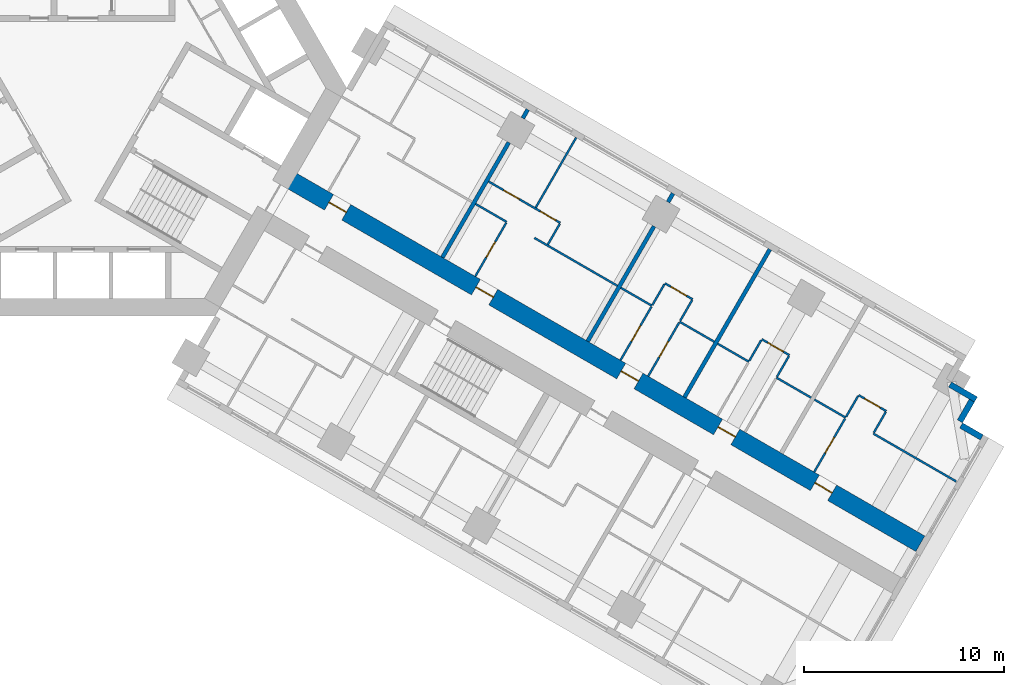
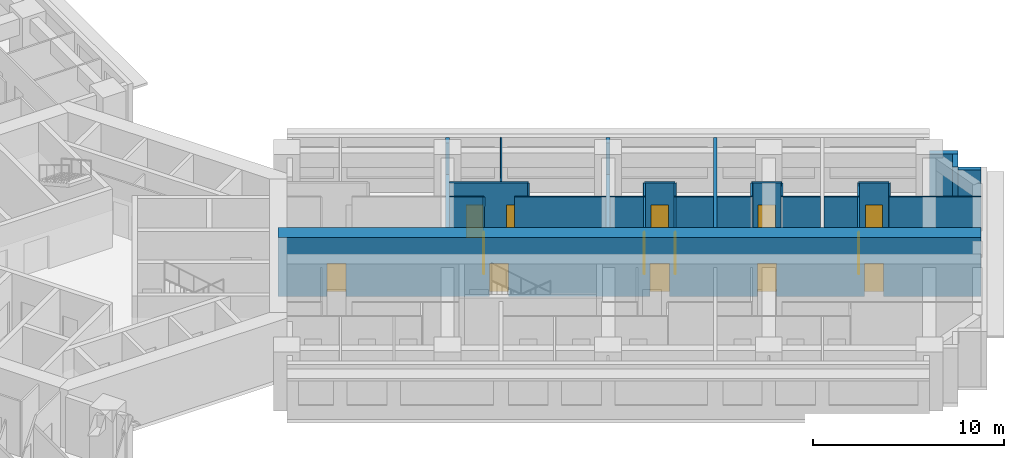
# One storey, part 12 of 16: 33 walls, 14 doors, 14 openings.
"""IFC4 building model written with IfcOpenShell, lengths in metres."""

from ifc_helpers import new_model, si_unit, direction, frame, frame_2d, origin, place, context, subcontext, project, spatial, rectangle, extrude, material, layer, layer_set, type_object, element, fill, save


model = new_model("IFC4")

# Units and contexts
model_context = context("Model", 3, precision=1e-05, world=origin(), true_north=direction((0.0, 1.0)))
body_context = subcontext(model_context, "Body", "Model", "MODEL_VIEW")
ifc_project = project(units=[si_unit("LENGTHUNIT", "METRE"), si_unit("AREAUNIT", "SQUARE_METRE"), si_unit("VOLUMEUNIT", "CUBIC_METRE"), si_unit("PLANEANGLEUNIT", "RADIAN"), si_unit("MASSUNIT", "GRAM", prefix="KILO")], contexts=[model_context])

# Site, building, storey
site_placement = place(None, origin())
site = spatial("IfcSite", under=ifc_project, at=site_placement, CompositionType="ELEMENT")
building_placement = place(site_placement, origin())
building = spatial("IfcBuilding", under=site, at=building_placement, Name="Impinga Residences", CompositionType="ELEMENT")
storey_placement = place(building_placement, frame((0.0, 0.0, 78.5)))
storey = spatial("IfcBuildingStorey", under=building, at=storey_placement, Name="L19", CompositionType="ELEMENT", Elevation=78.5)

# Wall, openings, doors
ifc_material_1 = material(Name="Concrete C70/85", Category="concrete")
ifc_layer_1 = layer(ifc_material_1, 0.89990234375)
ifc_layer_set_1 = layer_set([ifc_layer_1], Name="Concrete C70/85")
wall_type_1 = type_object("IfcWallType", Name="BW1 corridor buttress wall, L05 to L22 900", PredefinedType="SHEAR", material=ifc_layer_set_1)
wall_1_placement = place(storey_placement, frame((10.1103515625, -4.451416015625, 0.0), z_axis=(0.0, 0.0, 1.0), x_axis=(0.866025284237, -0.500000207062, 0.0)))
wall_1 = element("IfcWall", 1, at=wall_1_placement, inside=storey, type_object=wall_type_1, Name="Corridor wall BW1 EC L19", PredefinedType="SHEAR", context=body_context, shape_type="SweptSolid", body=[
    extrude(rectangle(XDim=36.75, YDim=0.89990234375, at=frame_2d((18.375, 0.0))), origin(), (0.0, 0.0, 1.0), 3.75),
])
opening_1_placement = place(wall_1_placement, frame((2.550048828125, 0.0, 0.0)))
opening_1 = element("IfcOpeningElement", 2, at=opening_1_placement, cuts=wall_1, Name="Opening D1", PredefinedType="OPENING", context=body_context, shape_type="SweptSolid", body=[
    extrude(rectangle(XDim=1.0, YDim=2.10009765625, at=frame_2d((0.5, 1.050048828125))), frame((0.0, 0.4599609375, 0.0), z_axis=(0.0, -1.0, 0.0), x_axis=(1.0, 0.0, 0.0)), (0.0, 0.0, 1.0), 0.919921875),
])
opening_2_placement = place(wall_1_placement, frame((11.050048828125, 0.0, 0.0)))
opening_2 = element("IfcOpeningElement", 3, at=opening_2_placement, cuts=wall_1, Name="Opening D1", PredefinedType="OPENING", context=body_context, shape_type="SweptSolid", body=[
    extrude(rectangle(XDim=1.0, YDim=2.10009765625, at=frame_2d((0.5, 1.050048828125))), frame((0.0, 0.4599609375, 0.0), z_axis=(0.0, -1.0, 0.0), x_axis=(1.0, 0.0, 0.0)), (0.0, 0.0, 1.0), 0.919921875),
])
opening_3_placement = place(wall_1_placement, frame((19.449951171875, 0.0, 0.0)))
opening_3 = element("IfcOpeningElement", 4, at=opening_3_placement, cuts=wall_1, Name="Opening D1", PredefinedType="OPENING", context=body_context, shape_type="SweptSolid", body=[
    extrude(rectangle(XDim=1.0, YDim=2.10009765625, at=frame_2d((0.5, 1.050048828125))), frame((0.0, 0.4599609375, 0.0), z_axis=(0.0, -1.0, 0.0), x_axis=(1.0, 0.0, 0.0)), (0.0, 0.0, 1.0), 0.919921875),
])
opening_4_placement = place(wall_1_placement, frame((25.050048828125, 0.0, 0.0)))
opening_4 = element("IfcOpeningElement", 5, at=opening_4_placement, cuts=wall_1, Name="Opening D1", PredefinedType="OPENING", context=body_context, shape_type="SweptSolid", body=[
    extrude(rectangle(XDim=1.0, YDim=2.10009765625, at=frame_2d((0.5, 1.050048828125))), frame((0.0, 0.4599609375, 0.0), z_axis=(0.0, -1.0, 0.0), x_axis=(1.0, 0.0, 0.0)), (0.0, 0.0, 1.0), 0.919921875),
])
opening_5_placement = place(wall_1_placement, frame((30.64990234375, 0.0, 0.0)))
opening_5 = element("IfcOpeningElement", 6, at=opening_5_placement, cuts=wall_1, Name="Opening D1", PredefinedType="OPENING", context=body_context, shape_type="SweptSolid", body=[
    extrude(rectangle(XDim=1.0, YDim=2.10009765625, at=frame_2d((0.5, 1.050048828125))), frame((0.0, 0.4599609375, 0.0), z_axis=(0.0, -1.0, 0.0), x_axis=(1.0, 0.0, 0.0)), (0.0, 0.0, 1.0), 0.919921875),
])
ifc_material_2 = material(Name="Timber door set", Category="wood")
door_type_1 = type_object("IfcDoorType", Name="D1 apartment entrance door 1000x2100", OperationType="SINGLE_SWING_LEFT", PredefinedType="DOOR", material=ifc_material_2)
door_1_placement = place(opening_1_placement, origin())
door_1 = element("IfcDoor", 7, at=door_1_placement, inside=storey, type_object=door_type_1, Name="Apartment L19-EA1 entrance", OperationType="SINGLE_SWING_LEFT", OverallHeight=2.10009765625, OverallWidth=1.0, PredefinedType="DOOR", context=body_context, shape_type="SweptSolid", body=[
    extrude(rectangle(XDim=1.0, YDim=2.10009765625, at=frame_2d((0.5, 1.050048828125))), frame((0.0, 0.02490234375, 0.0), z_axis=(0.0, -1.0, 0.0), x_axis=(1.0, 0.0, 0.0)), (0.0, 0.0, 1.0), 0.050048828125),
])
fill(opening_1, door_1)
door_2_placement = place(opening_2_placement, origin())
door_2 = element("IfcDoor", 8, at=door_2_placement, inside=storey, type_object=door_type_1, Name="Apartment L19-EA2 entrance", OperationType="SINGLE_SWING_LEFT", OverallHeight=2.10009765625, OverallWidth=1.0, PredefinedType="DOOR", context=body_context, shape_type="SweptSolid", body=[
    extrude(rectangle(XDim=1.0, YDim=2.10009765625, at=frame_2d((0.5, 1.050048828125))), frame((0.0, 0.02490234375, 0.0), z_axis=(0.0, -1.0, 0.0), x_axis=(1.0, 0.0, 0.0)), (0.0, 0.0, 1.0), 0.050048828125),
])
fill(opening_2, door_2)
door_3_placement = place(opening_3_placement, origin())
door_3 = element("IfcDoor", 9, at=door_3_placement, inside=storey, type_object=door_type_1, Name="Apartment L19-EA3 entrance", OperationType="SINGLE_SWING_RIGHT", OverallHeight=2.10009765625, OverallWidth=1.0, PredefinedType="DOOR", context=body_context, shape_type="SweptSolid", body=[
    extrude(rectangle(XDim=1.0, YDim=2.10009765625, at=frame_2d((0.5, 1.050048828125))), frame((0.0, 0.02490234375, 0.0), z_axis=(0.0, -1.0, 0.0), x_axis=(1.0, 0.0, 0.0)), (0.0, 0.0, 1.0), 0.050048828125),
])
fill(opening_3, door_3)
door_4_placement = place(opening_4_placement, origin())
door_4 = element("IfcDoor", 10, at=door_4_placement, inside=storey, type_object=door_type_1, Name="Apartment L19-EA4 entrance", OperationType="SINGLE_SWING_RIGHT", OverallHeight=2.10009765625, OverallWidth=1.0, PredefinedType="DOOR", context=body_context, shape_type="SweptSolid", body=[
    extrude(rectangle(XDim=1.0, YDim=2.10009765625, at=frame_2d((0.5, 1.050048828125))), frame((0.0, 0.02490234375, 0.0), z_axis=(0.0, -1.0, 0.0), x_axis=(1.0, 0.0, 0.0)), (0.0, 0.0, 1.0), 0.050048828125),
])
fill(opening_4, door_4)
door_5_placement = place(opening_5_placement, origin())
door_5 = element("IfcDoor", 11, at=door_5_placement, inside=storey, type_object=door_type_1, Name="Apartment L19-EA5 entrance", OperationType="SINGLE_SWING_RIGHT", OverallHeight=2.10009765625, OverallWidth=1.0, PredefinedType="DOOR", context=body_context, shape_type="SweptSolid", body=[
    extrude(rectangle(XDim=1.0, YDim=2.10009765625, at=frame_2d((0.5, 1.050048828125))), frame((0.0, 0.02490234375, 0.0), z_axis=(0.0, -1.0, 0.0), x_axis=(1.0, 0.0, 0.0)), (0.0, 0.0, 1.0), 0.050048828125),
])
fill(opening_5, door_5)

# Walls
ifc_material_3 = material(Name="Terracotta rainscreen on blockwork", Category="masonry")
ifc_layer_2 = layer(ifc_material_3, 0.300048828125)
ifc_layer_set_2 = layer_set([ifc_layer_2], Name="EW1 external wall, terracotta rainscreen on blockwork 300")
wall_type_2 = type_object("IfcWallType", Name="EW1 external wall, terracotta rainscreen on blockwork 300", PredefinedType="SOLIDWALL", material=ifc_layer_set_2)
wall_2_placement = place(storey_placement, frame((43.42333984375, -14.8515625, 0.0), z_axis=(0.0, 0.0, 1.0), x_axis=(0.866031096941, -0.499990139034, 0.0)))
element("IfcWall", 12, at=wall_2_placement, inside=storey, type_object=wall_type_2, Name="External wall EW1 L19", PredefinedType="SOLIDWALL", context=body_context, shape_type="SweptSolid", body=[
    extrude(rectangle(XDim=1.5, YDim=0.300048828125, at=frame_2d((0.75, 0.0))), origin(), (0.0, 0.0, 1.0), 3.530029296875),
])
wall_3_placement = place(storey_placement, frame((44.517578125, -15.65625, 0.0), z_axis=(0.0, 0.0, 1.0), x_axis=(-0.500033551112, -0.866006032174, 0.0)))
element("IfcWall", 13, at=wall_3_placement, inside=storey, type_object=wall_type_2, Name="External wall EW1 L19", PredefinedType="SOLIDWALL", context=body_context, shape_type="SweptSolid", body=[
    extrude(rectangle(XDim=1.2001953125, YDim=0.300048828125, at=frame_2d((0.60009765625, 0.0))), origin(), (0.0, 0.0, 1.0), 3.530029296875),
])
wall_4_placement = place(storey_placement, frame((43.976806640625, -16.903076171875, 0.0), z_axis=(0.0, 0.0, 1.0), x_axis=(0.866059708757, -0.499940577336, 0.0)))
element("IfcWall", 14, at=wall_4_placement, inside=storey, type_object=wall_type_2, Name="External wall EW1 L19", PredefinedType="SOLIDWALL", context=body_context, shape_type="SweptSolid", body=[
    extrude(rectangle(XDim=1.195068359375, YDim=0.300048828125, at=frame_2d((0.59765625, 0.0))), origin(), (0.0, 0.0, 1.0), 3.530029296875),
])
ifc_material_4 = material(Name="Gypsum board on steel studs", Category="steel")
ifc_layer_3 = layer(ifc_material_4, 0.10009765625)
ifc_layer_set_3 = layer_set([ifc_layer_3], Name="Gypsum board on steel studs")
wall_type_3 = type_object("IfcWallType", Name="IP1 partition 100", PredefinedType="PARTITIONING", material=ifc_layer_set_3)
wall_5_placement = place(storey_placement, frame((19.6611328125, -5.808837890625, 0.0), z_axis=(0.0, 0.0, 1.0), x_axis=(0.866047807691, -0.499961193289, 0.0)))
element("IfcWall", 15, at=wall_5_placement, inside=storey, type_object=wall_type_3, Name="Partition L19-EA2:DIV0", PredefinedType="PARTITIONING", context=body_context, shape_type="SweptSolid", body=[
    extrude(rectangle(XDim=1.800048828125, YDim=0.10009765625, at=frame_2d((0.89990234375, 0.0))), origin(), (0.0, 0.0, 1.0), 3.530029296875),
])
wall_6_placement = place(storey_placement, frame((22.605712890625, -7.5087890625, 0.0), z_axis=(0.0, 0.0, 1.0), x_axis=(0.866015339567, -0.500017431331, 0.0)))
element("IfcWall", 16, at=wall_6_placement, inside=storey, type_object=wall_type_3, Name="Partition L19-EA2:DIV1", PredefinedType="PARTITIONING", context=body_context, shape_type="SweptSolid", body=[
    extrude(rectangle(XDim=4.800048828125, YDim=0.10009765625, at=frame_2d((2.39990234375, 0.0))), origin(), (0.0, 0.0, 1.0), 3.530029296875),
])

# Wall, openings, doors
wall_7_placement = place(storey_placement, frame((20.311279296875, -4.68310546875, 0.0), z_axis=(0.0, 0.0, 1.0), x_axis=(0.86602981871, -0.499992353047, 0.0)))
wall_7 = element("IfcWall", 17, at=wall_7_placement, inside=storey, type_object=wall_type_3, Name="Partition L19-EA2:STRIP", PredefinedType="PARTITIONING", context=body_context, shape_type="SweptSolid", body=[
    extrude(rectangle(XDim=4.14990234375, YDim=0.10009765625, at=frame_2d((2.074951171875, 0.0))), origin(), (0.0, 0.0, 1.0), 3.530029296875),
])
opening_6_placement = place(wall_7_placement, frame((0.875, 0.0, 0.0)))
opening_6 = element("IfcOpeningElement", 18, at=opening_6_placement, cuts=wall_7, Name="Opening D2", PredefinedType="OPENING", context=body_context, shape_type="SweptSolid", body=[
    extrude(rectangle(XDim=0.89990234375, YDim=2.10009765625, at=frame_2d((0.449951171875, 1.050048828125))), frame((0.0, 0.06005859375, 0.0), z_axis=(0.0, -1.0, 0.0), x_axis=(1.0, 0.0, 0.0)), (0.0, 0.0, 1.0), 0.1201171875),
])
opening_7_placement = place(wall_7_placement, frame((3.0, 0.0, 0.0)))
opening_7 = element("IfcOpeningElement", 19, at=opening_7_placement, cuts=wall_7, Name="Opening D2", PredefinedType="OPENING", context=body_context, shape_type="SweptSolid", body=[
    extrude(rectangle(XDim=0.89990234375, YDim=2.10009765625, at=frame_2d((0.449951171875, 1.050048828125))), frame((0.0, 0.06005859375, 0.0), z_axis=(0.0, -1.0, 0.0), x_axis=(1.0, 0.0, 0.0)), (0.0, 0.0, 1.0), 0.1201171875),
])
door_type_2 = type_object("IfcDoorType", Name="D2 internal door 900x2100", OperationType="SINGLE_SWING_LEFT", PredefinedType="DOOR", material=ifc_material_2)
door_6_placement = place(opening_6_placement, origin())
door_6 = element("IfcDoor", 20, at=door_6_placement, inside=storey, type_object=door_type_2, Name="Apartment L19-EA2 room door", OperationType="SINGLE_SWING_LEFT", OverallHeight=2.10009765625, OverallWidth=0.89990234375, PredefinedType="DOOR", context=body_context, shape_type="SweptSolid", body=[
    extrude(rectangle(XDim=0.89990234375, YDim=2.10009765625, at=frame_2d((0.449951171875, 1.050048828125))), frame((0.0, 0.02490234375, 0.0), z_axis=(0.0, -1.0, 0.0), x_axis=(1.0, 0.0, 0.0)), (0.0, 0.0, 1.0), 0.050048828125),
])
fill(opening_6, door_6)
door_7_placement = place(opening_7_placement, origin())
door_7 = element("IfcDoor", 21, at=door_7_placement, inside=storey, type_object=door_type_2, Name="Apartment L19-EA2 room door", OperationType="SINGLE_SWING_RIGHT", OverallHeight=2.10009765625, OverallWidth=0.89990234375, PredefinedType="DOOR", context=body_context, shape_type="SweptSolid", body=[
    extrude(rectangle(XDim=0.89990234375, YDim=2.10009765625, at=frame_2d((0.449951171875, 1.050048828125))), frame((0.0, 0.02490234375, 0.0), z_axis=(0.0, -1.0, 0.0), x_axis=(1.0, 0.0, 0.0)), (0.0, 0.0, 1.0), 0.050048828125),
])
fill(opening_7, door_7)

# Wall
wall_8_placement = place(storey_placement, frame((23.2802734375, -7.840576171875, 0.0), z_axis=(0.0, 0.0, 1.0), x_axis=(0.499880961361, 0.866094119867, 0.0)))
element("IfcWall", 22, at=wall_8_placement, inside=storey, type_object=wall_type_3, Name="Partition L19-EA2:SE1", PredefinedType="PARTITIONING", context=body_context, shape_type="SweptSolid", body=[
    extrude(rectangle(XDim=1.199951171875, YDim=0.10009765625, at=frame_2d((0.60009765625, 0.0))), origin(), (0.0, 0.0, 1.0), 3.530029296875),
])

# Wall, opening, door
wall_9_placement = place(storey_placement, frame((19.64501953125, -9.436767578125, 0.0), z_axis=(0.0, 0.0, 1.0), x_axis=(0.500026960575, 0.86600983753, 0.0)))
wall_9 = element("IfcWall", 23, at=wall_9_placement, inside=storey, type_object=wall_type_3, Name="Partition L19-EA2:IB1", PredefinedType="PARTITIONING", context=body_context, shape_type="SweptSolid", body=[
    extrude(rectangle(XDim=3.099853515625, YDim=0.10009765625, at=frame_2d((1.5498046875, 0.0))), origin(), (0.0, 0.0, 1.0), 3.530029296875),
])
opening_8_placement = place(wall_9_placement, frame((1.10009765625, 0.0, 0.0)))
opening_8 = element("IfcOpeningElement", 24, at=opening_8_placement, cuts=wall_9, Name="Opening D2", PredefinedType="OPENING", context=body_context, shape_type="SweptSolid", body=[
    extrude(rectangle(XDim=0.89990234375, YDim=2.10009765625, at=frame_2d((0.449951171875, 1.050048828125))), frame((0.0, 0.06005859375, 0.0), z_axis=(0.0, -1.0, 0.0), x_axis=(1.0, 0.0, 0.0)), (0.0, 0.0, 1.0), 0.1201171875),
])
door_8_placement = place(opening_8_placement, origin())
door_8 = element("IfcDoor", 25, at=door_8_placement, inside=storey, type_object=door_type_2, Name="Apartment L19-EA2 bathroom door", OperationType="SINGLE_SWING_LEFT", OverallHeight=2.10009765625, OverallWidth=0.89990234375, PredefinedType="DOOR", context=body_context, shape_type="SweptSolid", body=[
    extrude(rectangle(XDim=0.89990234375, YDim=2.10009765625, at=frame_2d((0.449951171875, 1.050048828125))), frame((0.0, 0.02490234375, 0.0), z_axis=(0.0, -1.0, 0.0), x_axis=(1.0, 0.0, 0.0)), (0.0, 0.0, 1.0), 0.050048828125),
])
fill(opening_8, door_8)

# Walls
wall_10_placement = place(storey_placement, frame((22.674560546875, -5.98974609375, 0.0), z_axis=(0.0, 0.0, 1.0), x_axis=(0.499990325971, 0.866030989016, 0.0)))
element("IfcWall", 26, at=wall_10_placement, inside=storey, type_object=wall_type_3, Name="Partition L19-EA2:OB1", PredefinedType="PARTITIONING", context=body_context, shape_type="SweptSolid", body=[
    extrude(rectangle(XDim=4.0498046875, YDim=0.10009765625, at=frame_2d((2.02490234375, 0.0))), origin(), (0.0, 0.0, 1.0), 3.530029296875),
])
wall_11_placement = place(storey_placement, frame((26.935791015625, -10.0087890625, 0.0), z_axis=(0.0, 0.0, 1.0), x_axis=(0.865989075817, -0.500062916607, 0.0)))
element("IfcWall", 27, at=wall_11_placement, inside=storey, type_object=wall_type_3, Name="Partition L19-EA3:DIV0", PredefinedType="PARTITIONING", context=body_context, shape_type="SweptSolid", body=[
    extrude(rectangle(XDim=1.800048828125, YDim=0.10009765625, at=frame_2d((0.89990234375, 0.0))), origin(), (0.0, 0.0, 1.0), 3.530029296875),
])
wall_12_placement = place(storey_placement, frame((29.88037109375, -11.708740234375, 0.0), z_axis=(0.0, 0.0, 1.0), x_axis=(0.866010750942, -0.50002537861, 0.0)))
element("IfcWall", 28, at=wall_12_placement, inside=storey, type_object=wall_type_3, Name="Partition L19-EA3:DIV1", PredefinedType="PARTITIONING", context=body_context, shape_type="SweptSolid", body=[
    extrude(rectangle(XDim=2.0, YDim=0.10009765625, at=frame_2d((1.0, 0.0))), origin(), (0.0, 0.0, 1.0), 3.530029296875),
])

# Wall, opening, door
wall_13_placement = place(storey_placement, frame((29.144775390625, -9.782958984375, 0.0), z_axis=(0.0, 0.0, 1.0), x_axis=(0.865989903783, -0.500061482766, 0.0)))
wall_13 = element("IfcWall", 29, at=wall_13_placement, inside=storey, type_object=wall_type_3, Name="Partition L19-EA3:STRIP", PredefinedType="PARTITIONING", context=body_context, shape_type="SweptSolid", body=[
    extrude(rectangle(XDim=1.599853515625, YDim=0.10009765625, at=frame_2d((0.7998046875, 0.0))), origin(), (0.0, 0.0, 1.0), 3.530029296875),
])
opening_9_placement = place(wall_13_placement, frame((0.35009765625, 0.0, 0.0)))
opening_9 = element("IfcOpeningElement", 30, at=opening_9_placement, cuts=wall_13, Name="Opening D2", PredefinedType="OPENING", context=body_context, shape_type="SweptSolid", body=[
    extrude(rectangle(XDim=0.89990234375, YDim=2.10009765625, at=frame_2d((0.449951171875, 1.050048828125))), frame((0.0, 0.06005859375, 0.0), z_axis=(0.0, -1.0, 0.0), x_axis=(1.0, 0.0, 0.0)), (0.0, 0.0, 1.0), 0.1201171875),
])
door_9_placement = place(opening_9_placement, origin())
door_9 = element("IfcDoor", 31, at=door_9_placement, inside=storey, type_object=door_type_2, Name="Apartment L19-EA3 room door", OperationType="SINGLE_SWING_LEFT", OverallHeight=2.10009765625, OverallWidth=0.89990234375, PredefinedType="DOOR", context=body_context, shape_type="SweptSolid", body=[
    extrude(rectangle(XDim=0.89990234375, YDim=2.10009765625, at=frame_2d((0.449951171875, 1.050048828125))), frame((0.0, 0.02490234375, 0.0), z_axis=(0.0, -1.0, 0.0), x_axis=(1.0, 0.0, 0.0)), (0.0, 0.0, 1.0), 0.050048828125),
])
fill(opening_9, door_9)

# Walls
wall_14_placement = place(storey_placement, frame((28.519775390625, -10.865478515625, 0.0), z_axis=(0.0, 0.0, 1.0), x_axis=(0.499969057507, 0.866043267704, 0.0)))
element("IfcWall", 32, at=wall_14_placement, inside=storey, type_object=wall_type_3, Name="Partition L19-EA3:SE0", PredefinedType="PARTITIONING", context=body_context, shape_type="SweptSolid", body=[
    extrude(rectangle(XDim=1.19970703125, YDim=0.10009765625, at=frame_2d((0.599853515625, 0.0))), origin(), (0.0, 0.0, 1.0), 3.530029296875),
])
wall_15_placement = place(storey_placement, frame((29.9052734375, -11.66552734375, 0.0), z_axis=(0.0, 0.0, 1.0), x_axis=(0.500033551112, 0.866006032174, 0.0)))
element("IfcWall", 33, at=wall_15_placement, inside=storey, type_object=wall_type_3, Name="Partition L19-EA3:SE1", PredefinedType="PARTITIONING", context=body_context, shape_type="SweptSolid", body=[
    extrude(rectangle(XDim=1.2001953125, YDim=0.10009765625, at=frame_2d((0.60009765625, 0.0))), origin(), (0.0, 0.0, 1.0), 3.530029296875),
])

# Wall, opening, door
wall_16_placement = place(storey_placement, frame((26.919677734375, -13.63671875, 0.0), z_axis=(0.0, 0.0, 1.0), x_axis=(0.500026960575, 0.86600983753, 0.0)))
wall_16 = element("IfcWall", 34, at=wall_16_placement, inside=storey, type_object=wall_type_3, Name="Partition L19-EA3:IB1", PredefinedType="PARTITIONING", context=body_context, shape_type="SweptSolid", body=[
    extrude(rectangle(XDim=3.099853515625, YDim=0.10009765625, at=frame_2d((1.5498046875, 0.0))), origin(), (0.0, 0.0, 1.0), 3.530029296875),
])
opening_10_placement = place(wall_16_placement, frame((1.10009765625, 0.0, 0.0)))
opening_10 = element("IfcOpeningElement", 35, at=opening_10_placement, cuts=wall_16, Name="Opening D2", PredefinedType="OPENING", context=body_context, shape_type="SweptSolid", body=[
    extrude(rectangle(XDim=0.89990234375, YDim=2.10009765625, at=frame_2d((0.449951171875, 1.050048828125))), frame((0.0, 0.06005859375, 0.0), z_axis=(0.0, -1.0, 0.0), x_axis=(1.0, 0.0, 0.0)), (0.0, 0.0, 1.0), 0.1201171875),
])
door_10_placement = place(opening_10_placement, origin())
door_10 = element("IfcDoor", 36, at=door_10_placement, inside=storey, type_object=door_type_2, Name="Apartment L19-EA3 bathroom door", OperationType="SINGLE_SWING_LEFT", OverallHeight=2.10009765625, OverallWidth=0.89990234375, PredefinedType="DOOR", context=body_context, shape_type="SweptSolid", body=[
    extrude(rectangle(XDim=0.89990234375, YDim=2.10009765625, at=frame_2d((0.449951171875, 1.050048828125))), frame((0.0, 0.02490234375, 0.0), z_axis=(0.0, -1.0, 0.0), x_axis=(1.0, 0.0, 0.0)), (0.0, 0.0, 1.0), 0.050048828125),
])
fill(opening_10, door_10)

wall_17_placement = place(storey_placement, frame((28.305419921875, -14.436767578125, 0.0), z_axis=(0.0, 0.0, 1.0), x_axis=(0.499967891604, 0.866043940782, 0.0)))
wall_17 = element("IfcWall", 37, at=wall_17_placement, inside=storey, type_object=wall_type_3, Name="Partition L19-EA3:IB2", PredefinedType="PARTITIONING", context=body_context, shape_type="SweptSolid", body=[
    extrude(rectangle(XDim=3.099853515625, YDim=0.10009765625, at=frame_2d((1.5498046875, 0.0))), origin(), (0.0, 0.0, 1.0), 3.530029296875),
])
opening_11_placement = place(wall_17_placement, frame((1.10009765625, 0.0, 0.0)))
opening_11 = element("IfcOpeningElement", 38, at=opening_11_placement, cuts=wall_17, Name="Opening D2", PredefinedType="OPENING", context=body_context, shape_type="SweptSolid", body=[
    extrude(rectangle(XDim=0.89990234375, YDim=2.10009765625, at=frame_2d((0.449951171875, 1.050048828125))), frame((0.0, 0.06005859375, 0.0), z_axis=(0.0, -1.0, 0.0), x_axis=(1.0, 0.0, 0.0)), (0.0, 0.0, 1.0), 0.1201171875),
])
door_11_placement = place(opening_11_placement, origin())
door_11 = element("IfcDoor", 39, at=door_11_placement, inside=storey, type_object=door_type_2, Name="Apartment L19-EA3 WC door", OperationType="SINGLE_SWING_LEFT", OverallHeight=2.10009765625, OverallWidth=0.89990234375, PredefinedType="DOOR", context=body_context, shape_type="SweptSolid", body=[
    extrude(rectangle(XDim=0.89990234375, YDim=2.10009765625, at=frame_2d((0.449951171875, 1.050048828125))), frame((0.0, 0.02490234375, 0.0), z_axis=(0.0, -1.0, 0.0), x_axis=(1.0, 0.0, 0.0)), (0.0, 0.0, 1.0), 0.050048828125),
])
fill(opening_11, door_11)

# Walls
wall_18_placement = place(storey_placement, frame((31.78564453125, -12.808837890625, 0.0), z_axis=(0.0, 0.0, 1.0), x_axis=(0.866047807691, -0.499961193289, 0.0)))
element("IfcWall", 40, at=wall_18_placement, inside=storey, type_object=wall_type_3, Name="Partition L19-EA4:DIV0", PredefinedType="PARTITIONING", context=body_context, shape_type="SweptSolid", body=[
    extrude(rectangle(XDim=1.800048828125, YDim=0.10009765625, at=frame_2d((0.89990234375, 0.0))), origin(), (0.0, 0.0, 1.0), 3.530029296875),
])
wall_19_placement = place(storey_placement, frame((34.72998046875, -14.5087890625, 0.0), z_axis=(0.0, 0.0, 1.0), x_axis=(0.866041268327, -0.499972520799, 0.0)))
element("IfcWall", 41, at=wall_19_placement, inside=storey, type_object=wall_type_3, Name="Partition L19-EA4:DIV1", PredefinedType="PARTITIONING", context=body_context, shape_type="SweptSolid", body=[
    extrude(rectangle(XDim=2.0, YDim=0.10009765625, at=frame_2d((1.0, 0.0))), origin(), (0.0, 0.0, 1.0), 3.530029296875),
])

# Wall, opening, door
wall_20_placement = place(storey_placement, frame((33.994384765625, -12.5830078125, 0.0), z_axis=(0.0, 0.0, 1.0), x_axis=(0.866028054938, -0.499995408039, 0.0)))
wall_20 = element("IfcWall", 42, at=wall_20_placement, inside=storey, type_object=wall_type_3, Name="Partition L19-EA4:STRIP", PredefinedType="PARTITIONING", context=body_context, shape_type="SweptSolid", body=[
    extrude(rectangle(XDim=1.60009765625, YDim=0.10009765625, at=frame_2d((0.800048828125, 0.0))), origin(), (0.0, 0.0, 1.0), 3.530029296875),
])
opening_12_placement = place(wall_20_placement, frame((0.35009765625, 0.0, 0.0)))
opening_12 = element("IfcOpeningElement", 43, at=opening_12_placement, cuts=wall_20, Name="Opening D2", PredefinedType="OPENING", context=body_context, shape_type="SweptSolid", body=[
    extrude(rectangle(XDim=0.89990234375, YDim=2.10009765625, at=frame_2d((0.449951171875, 1.050048828125))), frame((0.0, 0.06005859375, 0.0), z_axis=(0.0, -1.0, 0.0), x_axis=(1.0, 0.0, 0.0)), (0.0, 0.0, 1.0), 0.1201171875),
])
door_12_placement = place(opening_12_placement, origin())
door_12 = element("IfcDoor", 44, at=door_12_placement, inside=storey, type_object=door_type_2, Name="Apartment L19-EA4 room door", OperationType="SINGLE_SWING_LEFT", OverallHeight=2.10009765625, OverallWidth=0.89990234375, PredefinedType="DOOR", context=body_context, shape_type="SweptSolid", body=[
    extrude(rectangle(XDim=0.89990234375, YDim=2.10009765625, at=frame_2d((0.449951171875, 1.050048828125))), frame((0.0, 0.02490234375, 0.0), z_axis=(0.0, -1.0, 0.0), x_axis=(1.0, 0.0, 0.0)), (0.0, 0.0, 1.0), 0.050048828125),
])
fill(opening_12, door_12)

# Walls
wall_21_placement = place(storey_placement, frame((33.369384765625, -13.66552734375, 0.0), z_axis=(0.0, 0.0, 1.0), x_axis=(0.500033551112, 0.866006032174, 0.0)))
element("IfcWall", 45, at=wall_21_placement, inside=storey, type_object=wall_type_3, Name="Partition L19-EA4:SE0", PredefinedType="PARTITIONING", context=body_context, shape_type="SweptSolid", body=[
    extrude(rectangle(XDim=1.2001953125, YDim=0.10009765625, at=frame_2d((0.60009765625, 0.0))), origin(), (0.0, 0.0, 1.0), 3.530029296875),
])
wall_22_placement = place(storey_placement, frame((34.755126953125, -14.465576171875, 0.0), z_axis=(0.0, 0.0, 1.0), x_axis=(0.499880961361, 0.866094119867, 0.0)))
element("IfcWall", 46, at=wall_22_placement, inside=storey, type_object=wall_type_3, Name="Partition L19-EA4:SE1", PredefinedType="PARTITIONING", context=body_context, shape_type="SweptSolid", body=[
    extrude(rectangle(XDim=1.199951171875, YDim=0.10009765625, at=frame_2d((0.60009765625, 0.0))), origin(), (0.0, 0.0, 1.0), 3.530029296875),
])
wall_23_placement = place(storey_placement, frame((36.63525390625, -15.60888671875, 0.0), z_axis=(0.0, 0.0, 1.0), x_axis=(0.866047807691, -0.499961193289, 0.0)))
element("IfcWall", 47, at=wall_23_placement, inside=storey, type_object=wall_type_3, Name="Partition L19-EA5:DIV0", PredefinedType="PARTITIONING", context=body_context, shape_type="SweptSolid", body=[
    extrude(rectangle(XDim=1.800048828125, YDim=0.10009765625, at=frame_2d((0.89990234375, 0.0))), origin(), (0.0, 0.0, 1.0), 3.530029296875),
])
wall_24_placement = place(storey_placement, frame((39.579833984375, -17.308837890625, 0.0), z_axis=(0.0, 0.0, 1.0), x_axis=(0.866037363387, -0.499979284789, 0.0)))
element("IfcWall", 48, at=wall_24_placement, inside=storey, type_object=wall_type_3, Name="Partition L19-EA5:DIV1", PredefinedType="PARTITIONING", context=body_context, shape_type="SweptSolid", body=[
    extrude(rectangle(XDim=4.800048828125, YDim=0.10009765625, at=frame_2d((2.39990234375, 0.0))), origin(), (0.0, 0.0, 1.0), 3.530029296875),
])

# Wall, opening, door
wall_25_placement = place(storey_placement, frame((38.84423828125, -15.383056640625, 0.0), z_axis=(0.0, 0.0, 1.0), x_axis=(0.865989903783, -0.500061482766, 0.0)))
wall_25 = element("IfcWall", 49, at=wall_25_placement, inside=storey, type_object=wall_type_3, Name="Partition L19-EA5:STRIP", PredefinedType="PARTITIONING", context=body_context, shape_type="SweptSolid", body=[
    extrude(rectangle(XDim=1.599853515625, YDim=0.10009765625, at=frame_2d((0.7998046875, 0.0))), origin(), (0.0, 0.0, 1.0), 3.530029296875),
])
opening_13_placement = place(wall_25_placement, frame((0.35009765625, 0.0, 0.0)))
opening_13 = element("IfcOpeningElement", 50, at=opening_13_placement, cuts=wall_25, Name="Opening D2", PredefinedType="OPENING", context=body_context, shape_type="SweptSolid", body=[
    extrude(rectangle(XDim=0.89990234375, YDim=2.10009765625, at=frame_2d((0.449951171875, 1.050048828125))), frame((0.0, 0.06005859375, 0.0), z_axis=(0.0, -1.0, 0.0), x_axis=(1.0, 0.0, 0.0)), (0.0, 0.0, 1.0), 0.1201171875),
])
door_13_placement = place(opening_13_placement, origin())
door_13 = element("IfcDoor", 51, at=door_13_placement, inside=storey, type_object=door_type_2, Name="Apartment L19-EA5 room door", OperationType="SINGLE_SWING_LEFT", OverallHeight=2.10009765625, OverallWidth=0.89990234375, PredefinedType="DOOR", context=body_context, shape_type="SweptSolid", body=[
    extrude(rectangle(XDim=0.89990234375, YDim=2.10009765625, at=frame_2d((0.449951171875, 1.050048828125))), frame((0.0, 0.02490234375, 0.0), z_axis=(0.0, -1.0, 0.0), x_axis=(1.0, 0.0, 0.0)), (0.0, 0.0, 1.0), 0.050048828125),
])
fill(opening_13, door_13)

# Walls
wall_26_placement = place(storey_placement, frame((38.21923828125, -16.465576171875, 0.0), z_axis=(0.0, 0.0, 1.0), x_axis=(0.499880961361, 0.866094119867, 0.0)))
element("IfcWall", 52, at=wall_26_placement, inside=storey, type_object=wall_type_3, Name="Partition L19-EA5:SE0", PredefinedType="PARTITIONING", context=body_context, shape_type="SweptSolid", body=[
    extrude(rectangle(XDim=1.199951171875, YDim=0.10009765625, at=frame_2d((0.60009765625, 0.0))), origin(), (0.0, 0.0, 1.0), 3.530029296875),
])
wall_27_placement = place(storey_placement, frame((39.604736328125, -17.265625, 0.0), z_axis=(0.0, 0.0, 1.0), x_axis=(0.500033551112, 0.866006032174, 0.0)))
element("IfcWall", 53, at=wall_27_placement, inside=storey, type_object=wall_type_3, Name="Partition L19-EA5:SE1", PredefinedType="PARTITIONING", context=body_context, shape_type="SweptSolid", body=[
    extrude(rectangle(XDim=1.2001953125, YDim=0.10009765625, at=frame_2d((0.60009765625, 0.0))), origin(), (0.0, 0.0, 1.0), 3.530029296875),
])

# Wall, opening, door
wall_28_placement = place(storey_placement, frame((36.619140625, -19.23681640625, 0.0), z_axis=(0.0, 0.0, 1.0), x_axis=(0.500026960575, 0.86600983753, 0.0)))
wall_28 = element("IfcWall", 54, at=wall_28_placement, inside=storey, type_object=wall_type_3, Name="Partition L19-EA5:IB1", PredefinedType="PARTITIONING", context=body_context, shape_type="SweptSolid", body=[
    extrude(rectangle(XDim=3.099853515625, YDim=0.10009765625, at=frame_2d((1.5498046875, 0.0))), origin(), (0.0, 0.0, 1.0), 3.530029296875),
])
opening_14_placement = place(wall_28_placement, frame((1.10009765625, 0.0, 0.0)))
opening_14 = element("IfcOpeningElement", 55, at=opening_14_placement, cuts=wall_28, Name="Opening D2", PredefinedType="OPENING", context=body_context, shape_type="SweptSolid", body=[
    extrude(rectangle(XDim=0.89990234375, YDim=2.10009765625, at=frame_2d((0.449951171875, 1.050048828125))), frame((0.0, 0.06005859375, 0.0), z_axis=(0.0, -1.0, 0.0), x_axis=(1.0, 0.0, 0.0)), (0.0, 0.0, 1.0), 0.1201171875),
])
door_14_placement = place(opening_14_placement, origin())
door_14 = element("IfcDoor", 56, at=door_14_placement, inside=storey, type_object=door_type_2, Name="Apartment L19-EA5 bathroom door", OperationType="SINGLE_SWING_LEFT", OverallHeight=2.10009765625, OverallWidth=0.89990234375, PredefinedType="DOOR", context=body_context, shape_type="SweptSolid", body=[
    extrude(rectangle(XDim=0.89990234375, YDim=2.10009765625, at=frame_2d((0.449951171875, 1.050048828125))), frame((0.0, 0.02490234375, 0.0), z_axis=(0.0, -1.0, 0.0), x_axis=(1.0, 0.0, 0.0)), (0.0, 0.0, 1.0), 0.050048828125),
])
fill(opening_14, door_14)

# Walls
ifc_material_5 = material(Name="Concrete blockwork", Category="masonry")
ifc_layer_4 = layer(ifc_material_5, 0.199951171875)
ifc_layer_set_4 = layer_set([ifc_layer_4], Name="PW1 party wall between apartments 200")
wall_type_4 = type_object("IfcWallType", Name="PW1 party wall between apartments 200", PredefinedType="SOLIDWALL", material=ifc_layer_set_4)
wall_29_placement = place(storey_placement, frame((17.99951171875, -8.48681640625, 0.0), z_axis=(0.0, 0.0, 1.0), x_axis=(0.500024353964, 0.86601134256, 0.0)))
element("IfcWall", 57, at=wall_29_placement, inside=storey, type_object=wall_type_4, Name="Party wall between apartments L19-EA1:PARTY", PredefinedType="SOLIDWALL", context=body_context, shape_type="SweptSolid", body=[
    extrude(rectangle(XDim=6.650146484375, YDim=0.199951171875, at=frame_2d((3.3251953125, 0.0))), origin(), (0.0, 0.0, 1.0), 2.47998046875),
])
wall_30_placement = place(storey_placement, frame((22.024658203125, -1.515380859375, 0.0), z_axis=(0.0, 0.0, 1.0), x_axis=(0.499919672301, 0.866071776036, 0.0)))
element("IfcWall", 58, at=wall_30_placement, inside=storey, type_object=wall_type_4, Name="Party wall between apartments L19-EA1:PARTYb", PredefinedType="SOLIDWALL", context=body_context, shape_type="SweptSolid", body=[
    extrude(rectangle(XDim=0.5, YDim=0.199951171875, at=frame_2d((0.25, 0.0))), origin(), (0.0, 0.0, 1.0), 3.530029296875),
])
wall_31_placement = place(storey_placement, frame((25.274169921875, -12.686767578125, 0.0), z_axis=(0.0, 0.0, 1.0), x_axis=(0.49999681972, 0.866027239912, 0.0)))
element("IfcWall", 59, at=wall_31_placement, inside=storey, type_object=wall_type_4, Name="Party wall between apartments L19-EA2:PARTY", PredefinedType="SOLIDWALL", context=body_context, shape_type="SweptSolid", body=[
    extrude(rectangle(XDim=6.64990234375, YDim=0.199951171875, at=frame_2d((3.324951171875, 0.0))), origin(), (0.0, 0.0, 1.0), 2.47998046875),
])
wall_32_placement = place(storey_placement, frame((29.29931640625, -5.71533203125, 0.0), z_axis=(0.0, 0.0, 1.0), x_axis=(0.499919672301, 0.866071776036, 0.0)))
element("IfcWall", 60, at=wall_32_placement, inside=storey, type_object=wall_type_4, Name="Party wall between apartments L19-EA2:PARTYb", PredefinedType="SOLIDWALL", context=body_context, shape_type="SweptSolid", body=[
    extrude(rectangle(XDim=0.5, YDim=0.199951171875, at=frame_2d((0.25, 0.0))), origin(), (0.0, 0.0, 1.0), 3.530029296875),
])
wall_33_placement = place(storey_placement, frame((30.1240234375, -15.48681640625, 0.0), z_axis=(0.0, 0.0, 1.0), x_axis=(0.499990227581, 0.86603104582, 0.0)))
element("IfcWall", 61, at=wall_33_placement, inside=storey, type_object=wall_type_4, Name="Party wall between apartments L19-EA3:PARTY", PredefinedType="SOLIDWALL", context=body_context, shape_type="SweptSolid", body=[
    extrude(rectangle(XDim=8.550048828125, YDim=0.199951171875, at=frame_2d((4.27490234375, 0.0))), origin(), (0.0, 0.0, 1.0), 3.530029296875),
])

save(model, "model.ifc")
